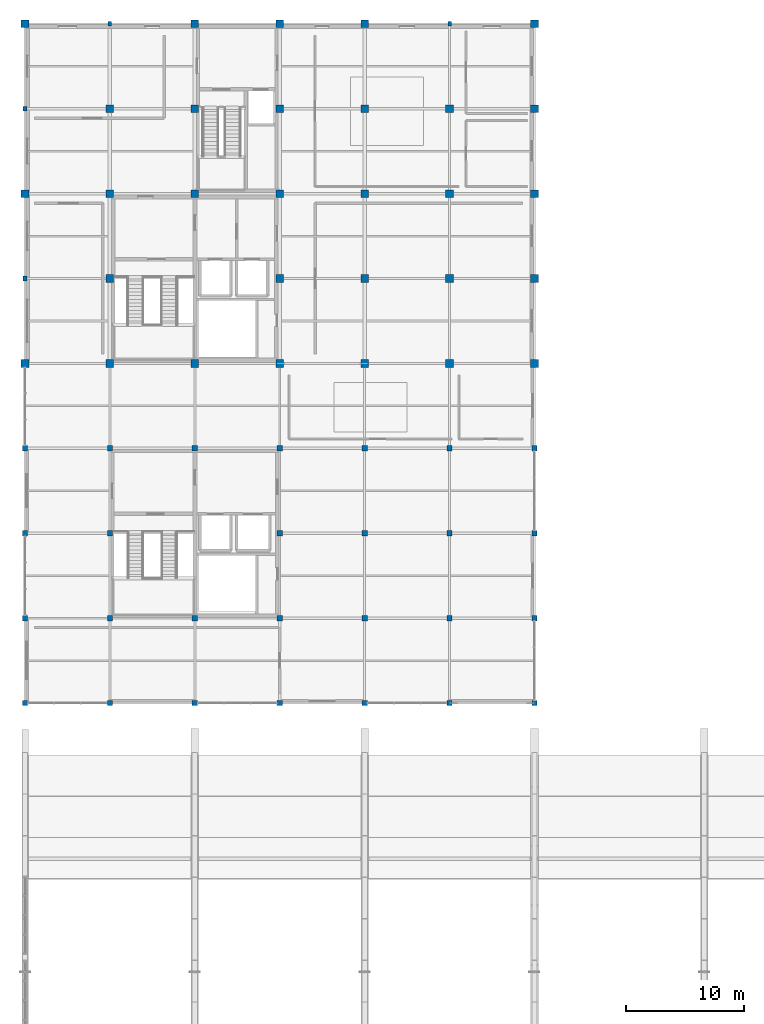
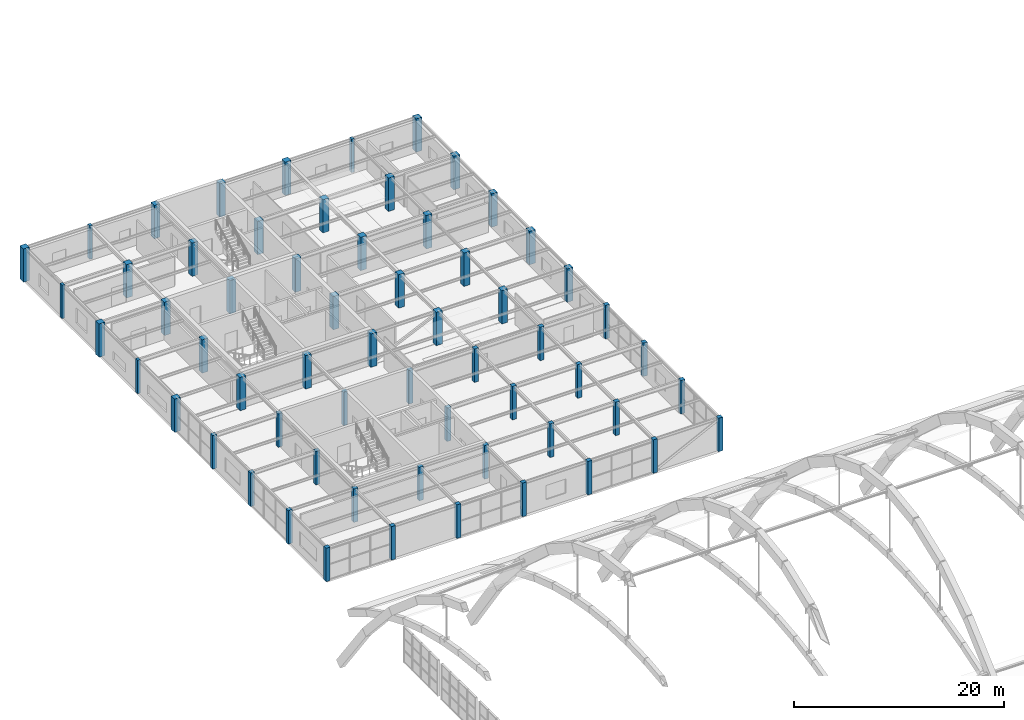
# One storey, part 1 of 64: 61 columns.
"""IFC4 building model written with IfcOpenShell, lengths in metres."""

from ifc_helpers import new_model, si_unit, direction, frame, origin, origin_2d, place, context, subcontext, project, spatial, rectangle, extrude, material, material_profile, profile_set, type_object, element, save


model = new_model("IFC4")

# Units and contexts
model_context = context("Model", 3, precision=1e-05, world=origin(), true_north=direction((0.0, 1.0)))
body_context = subcontext(model_context, "Body", "Model", "MODEL_VIEW")
ifc_project = project(units=[si_unit("LENGTHUNIT", "METRE"), si_unit("AREAUNIT", "SQUARE_METRE"), si_unit("VOLUMEUNIT", "CUBIC_METRE"), si_unit("PLANEANGLEUNIT", "RADIAN"), si_unit("MASSUNIT", "GRAM", prefix="KILO")], contexts=[model_context])

# Site, building, storey
site_placement = place(None, origin())
site = spatial("IfcSite", under=ifc_project, at=site_placement, CompositionType="ELEMENT")
building_placement = place(site_placement, origin())
building = spatial("IfcBuilding", under=site, at=building_placement, Name="Leyfeld Transit Interchange", CompositionType="ELEMENT")
storey_placement = place(building_placement, frame((0.0, 0.0, 9.60009765625)))
storey = spatial("IfcBuildingStorey", under=building, at=storey_placement, Name="L02", CompositionType="ELEMENT", Elevation=9.60009765625)

# Columns
ifc_material = material(Name="Concrete C35/45", Category="concrete")
ifc_material_profile_1 = material_profile(ifc_material, rectangle(XDim=0.300048828125, YDim=0.39990234375, at=origin_2d()), Name="RC 400x300")
ifc_profile_set_1 = profile_set([ifc_material_profile_1], Name="Concrete C35/45")
column_type_1 = type_object("IfcColumnType", Name="COL-PIL-400", PredefinedType="PILASTER", material=ifc_profile_set_1)
for number, where, z_axis, x_axis, name in (
    (1, (0.0, 100.800048828125, 0.0), (0.0, 0.0, 1.0), (1.0, 0.0, 0.0), "Column COL-L02-0000_1008"),
    (2, (0.0, 115.199951171875, 0.0), (0.0, 0.0, 1.0), (1.0, 0.0, 0.0), "Column COL-L02-0000_1152"),
    (3, (7.199951171875, 122.39990234375, 0.0), (0.0, 0.0, 1.0), (1.0, 0.0, 0.0), "Column COL-L02-0072_1224"),
    (4, (36.0, 122.39990234375, 0.0), (0.0, 0.0, 1.0), (1.0, 0.0, 0.0), "Column COL-L02-0360_1224"),
):
    element("IfcColumn", number, at=place(storey_placement, frame(where, z_axis=z_axis, x_axis=x_axis)), inside=storey, type_object=column_type_1, Name=name, PredefinedType="PILASTER", context=body_context, shape_type="SweptSolid", body=[
        extrude(rectangle(XDim=0.300048828125, YDim=0.39990234375, at=origin_2d()), origin(), (0.0, 0.0, 1.0), 3.8798828125),
    ])
ifc_material_profile_2 = material_profile(ifc_material, rectangle(XDim=0.449951171875, YDim=0.449951171875, at=origin_2d()), Name="RC 450x450")
ifc_profile_set_2 = profile_set([ifc_material_profile_2], Name="Concrete C35/45")
column_type_2 = type_object("IfcColumnType", Name="COL-RC-450", PredefinedType="COLUMN", material=ifc_profile_set_2)
for number, where, z_axis, x_axis, name in (
    (5, (0.0, 64.800048828125, 0.0), (0.0, 0.0, 1.0), (1.0, 0.0, 0.0), "Column COL-L02-0000_0648"),
    (6, (0.0, 72.0, 0.0), (0.0, 0.0, 1.0), (0.0, 1.0, 0.0), "Column COL-L02-0000_0720"),
    (7, (0.0, 79.199951171875, 0.0), (0.0, 0.0, 1.0), (0.0, 1.0, 0.0), "Column COL-L02-0000_0792"),
    (8, (0.0, 86.39990234375, 0.0), (0.0, 0.0, 1.0), (0.0, 1.0, 0.0), "Column COL-L02-0000_0864"),
    (9, (7.199951171875, 64.800048828125, 0.0), (0.0, 0.0, 1.0), (1.0, 0.0, 0.0), "Column COL-L02-0072_0648"),
    (10, (7.199951171875, 72.0, 0.0), (0.0, 0.0, 1.0), (1.0, 0.0, 0.0), "Column COL-L02-0072_0720"),
    (11, (7.199951171875, 79.199951171875, 0.0), (0.0, 0.0, 1.0), (1.0, 0.0, 0.0), "Column COL-L02-0072_0792"),
    (12, (7.199951171875, 86.39990234375, 0.0), (0.0, 0.0, 1.0), (1.0, 0.0, 0.0), "Column COL-L02-0072_0864"),
    (13, (14.39990234375, 64.800048828125, 0.0), (0.0, 0.0, 1.0), (1.0, 0.0, 0.0), "Column COL-L02-0144_0648"),
    (14, (14.39990234375, 72.0, 0.0), (0.0, 0.0, 1.0), (1.0, 0.0, 0.0), "Column COL-L02-0144_0720"),
    (15, (14.39990234375, 86.39990234375, 0.0), (0.0, 0.0, 1.0), (1.0, 0.0, 0.0), "Column COL-L02-0144_0864"),
    (16, (21.60009765625, 64.800048828125, 0.0), (0.0, 0.0, 1.0), (1.0, 0.0, 0.0), "Column COL-L02-0216_0648"),
    (17, (21.60009765625, 72.0, 0.0), (0.0, 0.0, 1.0), (1.0, 0.0, 0.0), "Column COL-L02-0216_0720"),
    (18, (21.60009765625, 79.199951171875, 0.0), (0.0, 0.0, 1.0), (1.0, 0.0, 0.0), "Column COL-L02-0216_0792"),
    (19, (21.60009765625, 86.39990234375, 0.0), (0.0, 0.0, 1.0), (1.0, 0.0, 0.0), "Column COL-L02-0216_0864"),
    (20, (28.800048828125, 64.800048828125, 0.0), (0.0, 0.0, 1.0), (1.0, 0.0, 0.0), "Column COL-L02-0288_0648"),
    (21, (28.800048828125, 72.0, 0.0), (0.0, 0.0, 1.0), (1.0, 0.0, 0.0), "Column COL-L02-0288_0720"),
    (22, (28.800048828125, 79.199951171875, 0.0), (0.0, 0.0, 1.0), (1.0, 0.0, 0.0), "Column COL-L02-0288_0792"),
    (23, (28.800048828125, 86.39990234375, 0.0), (0.0, 0.0, 1.0), (1.0, 0.0, 0.0), "Column COL-L02-0288_0864"),
    (24, (36.0, 64.800048828125, 0.0), (0.0, 0.0, 1.0), (1.0, 0.0, 0.0), "Column COL-L02-0360_0648"),
    (25, (36.0, 72.0, 0.0), (0.0, 0.0, 1.0), (1.0, 0.0, 0.0), "Column COL-L02-0360_0720"),
    (26, (36.0, 79.199951171875, 0.0), (0.0, 0.0, 1.0), (1.0, 0.0, 0.0), "Column COL-L02-0360_0792"),
    (27, (36.0, 86.39990234375, 0.0), (0.0, 0.0, 1.0), (1.0, 0.0, 0.0), "Column COL-L02-0360_0864"),
    (28, (43.199951171875, 64.800048828125, 0.0), (0.0, 0.0, 1.0), (1.0, 0.0, 0.0), "Column COL-L02-0432_0648"),
    (29, (43.199951171875, 72.0, 0.0), (0.0, 0.0, 1.0), (0.0, 1.0, 0.0), "Column COL-L02-0432_0720"),
    (30, (43.199951171875, 79.199951171875, 0.0), (0.0, 0.0, 1.0), (0.0, 1.0, 0.0), "Column COL-L02-0432_0792"),
    (31, (43.199951171875, 86.39990234375, 0.0), (0.0, 0.0, 1.0), (0.0, 1.0, 0.0), "Column COL-L02-0432_0864"),
):
    element("IfcColumn", number, at=place(storey_placement, frame(where, z_axis=z_axis, x_axis=x_axis)), inside=storey, type_object=column_type_2, Name=name, PredefinedType="COLUMN", context=body_context, shape_type="SweptSolid", body=[
        extrude(rectangle(XDim=0.449951171875, YDim=0.449951171875, at=origin_2d()), origin(), (0.0, 0.0, 1.0), 3.89990234375),
    ])
ifc_material_profile_3 = material_profile(ifc_material, rectangle(XDim=0.64990234375, YDim=0.64990234375, at=origin_2d()), Name="RC 650x650")
ifc_profile_set_3 = profile_set([ifc_material_profile_3], Name="Concrete C35/45")
column_type_3 = type_object("IfcColumnType", Name="COL-RC-650", PredefinedType="COLUMN", material=ifc_profile_set_3)
for number, where, z_axis, x_axis, name in (
    (32, (0.0, 93.60009765625, 0.0), (0.0, 0.0, 1.0), (0.0, 1.0, 0.0), "Column COL-L02-0000_0936"),
    (33, (0.0, 108.0, 0.0), (0.0, 0.0, 1.0), (1.0, 0.0, 0.0), "Column COL-L02-0000_1080"),
    (34, (0.0, 122.39990234375, 0.0), (0.0, 0.0, 1.0), (1.0, 0.0, 0.0), "Column COL-L02-0000_1224"),
    (35, (7.199951171875, 93.60009765625, 0.0), (0.0, 0.0, 1.0), (1.0, 0.0, 0.0), "Column COL-L02-0072_0936"),
    (36, (7.199951171875, 100.800048828125, 0.0), (0.0, 0.0, 1.0), (1.0, 0.0, 0.0), "Column COL-L02-0072_1008"),
    (37, (7.199951171875, 108.0, 0.0), (0.0, 0.0, 1.0), (1.0, 0.0, 0.0), "Column COL-L02-0072_1080"),
    (38, (7.199951171875, 115.199951171875, 0.0), (0.0, 0.0, 1.0), (1.0, 0.0, 0.0), "Column COL-L02-0072_1152"),
    (39, (14.39990234375, 93.60009765625, 0.0), (0.0, 0.0, 1.0), (1.0, 0.0, 0.0), "Column COL-L02-0144_0936"),
    (40, (14.39990234375, 108.0, 0.0), (0.0, 0.0, 1.0), (1.0, 0.0, 0.0), "Column COL-L02-0144_1080"),
    (41, (14.39990234375, 115.199951171875, 0.0), (0.0, 0.0, 1.0), (1.0, 0.0, 0.0), "Column COL-L02-0144_1152"),
    (42, (14.39990234375, 122.39990234375, 0.0), (0.0, 0.0, 1.0), (1.0, 0.0, 0.0), "Column COL-L02-0144_1224"),
    (43, (21.60009765625, 93.60009765625, 0.0), (0.0, 0.0, 1.0), (1.0, 0.0, 0.0), "Column COL-L02-0216_0936"),
    (44, (21.60009765625, 100.800048828125, 0.0), (0.0, 0.0, 1.0), (1.0, 0.0, 0.0), "Column COL-L02-0216_1008"),
    (45, (21.60009765625, 108.0, 0.0), (0.0, 0.0, 1.0), (1.0, 0.0, 0.0), "Column COL-L02-0216_1080"),
    (46, (21.60009765625, 115.199951171875, 0.0), (0.0, 0.0, 1.0), (1.0, 0.0, 0.0), "Column COL-L02-0216_1152"),
    (47, (21.60009765625, 122.39990234375, 0.0), (0.0, 0.0, 1.0), (1.0, 0.0, 0.0), "Column COL-L02-0216_1224"),
    (48, (28.800048828125, 93.60009765625, 0.0), (0.0, 0.0, 1.0), (1.0, 0.0, 0.0), "Column COL-L02-0288_0936"),
    (49, (28.800048828125, 100.800048828125, 0.0), (0.0, 0.0, 1.0), (1.0, 0.0, 0.0), "Column COL-L02-0288_1008"),
    (50, (28.800048828125, 108.0, 0.0), (0.0, 0.0, 1.0), (1.0, 0.0, 0.0), "Column COL-L02-0288_1080"),
    (51, (28.800048828125, 115.199951171875, 0.0), (0.0, 0.0, 1.0), (1.0, 0.0, 0.0), "Column COL-L02-0288_1152"),
    (52, (28.800048828125, 122.39990234375, 0.0), (0.0, 0.0, 1.0), (1.0, 0.0, 0.0), "Column COL-L02-0288_1224"),
    (53, (36.0, 93.60009765625, 0.0), (0.0, 0.0, 1.0), (1.0, 0.0, 0.0), "Column COL-L02-0360_0936"),
    (54, (36.0, 100.800048828125, 0.0), (0.0, 0.0, 1.0), (1.0, 0.0, 0.0), "Column COL-L02-0360_1008"),
    (55, (36.0, 108.0, 0.0), (0.0, 0.0, 1.0), (1.0, 0.0, 0.0), "Column COL-L02-0360_1080"),
    (56, (36.0, 115.199951171875, 0.0), (0.0, 0.0, 1.0), (1.0, 0.0, 0.0), "Column COL-L02-0360_1152"),
    (57, (43.199951171875, 93.60009765625, 0.0), (0.0, 0.0, 1.0), (0.0, 1.0, 0.0), "Column COL-L02-0432_0936"),
    (58, (43.199951171875, 100.800048828125, 0.0), (0.0, 0.0, 1.0), (1.0, 0.0, 0.0), "Column COL-L02-0432_1008"),
    (59, (43.199951171875, 108.0, 0.0), (0.0, 0.0, 1.0), (1.0, 0.0, 0.0), "Column COL-L02-0432_1080"),
    (60, (43.199951171875, 115.199951171875, 0.0), (0.0, 0.0, 1.0), (1.0, 0.0, 0.0), "Column COL-L02-0432_1152"),
    (61, (43.199951171875, 122.39990234375, 0.0), (0.0, 0.0, 1.0), (1.0, 0.0, 0.0), "Column COL-L02-0432_1224"),
):
    element("IfcColumn", number, at=place(storey_placement, frame(where, z_axis=z_axis, x_axis=x_axis)), inside=storey, type_object=column_type_3, Name=name, PredefinedType="COLUMN", context=body_context, shape_type="SweptSolid", body=[
        extrude(rectangle(XDim=0.64990234375, YDim=0.64990234375, at=origin_2d()), origin(), (0.0, 0.0, 1.0), 3.8798828125),
    ])

save(model, "model.ifc")
